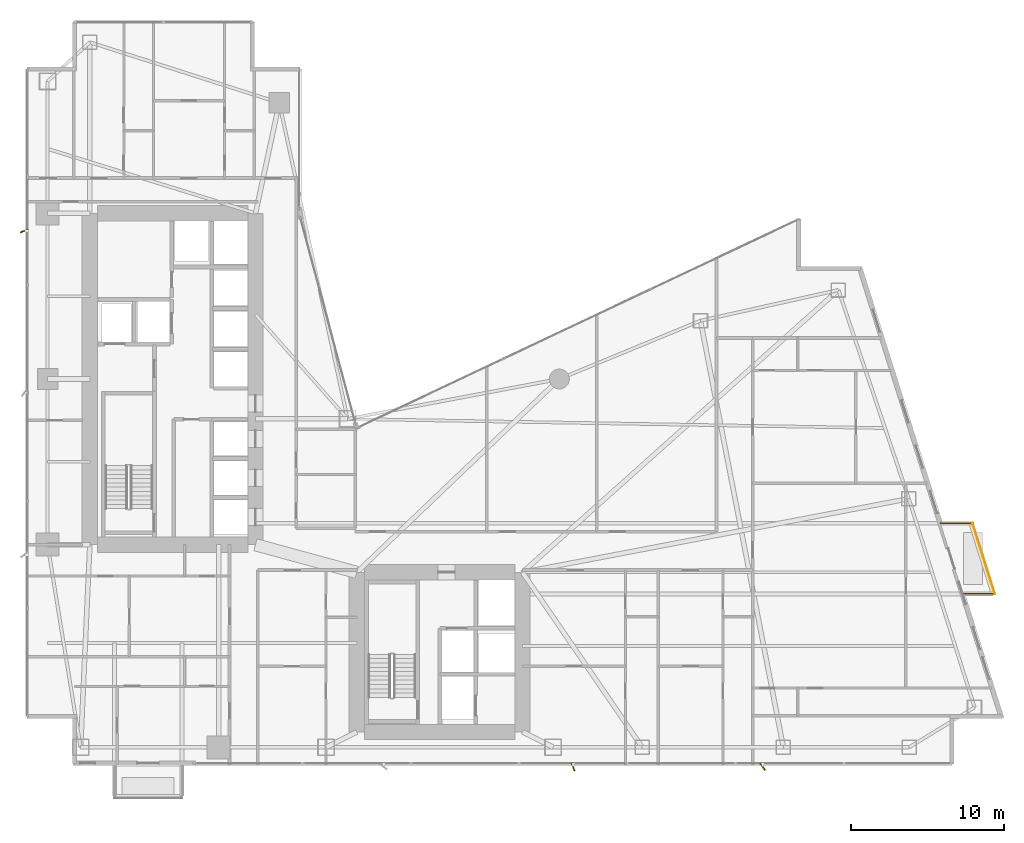
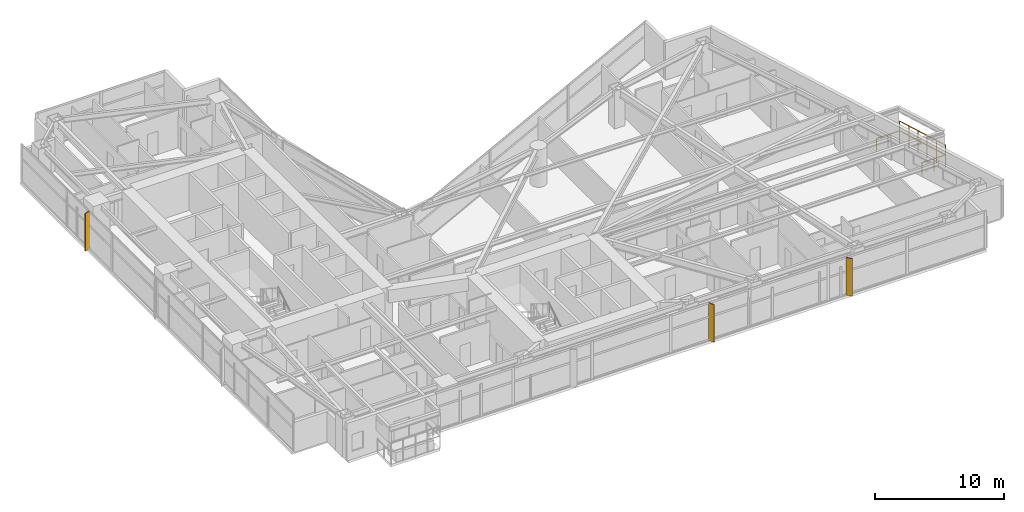
# One storey, part 29 of 29: 3 shading devices, 2 railings.
"""IFC4 building model written with IfcOpenShell, lengths in metres."""

from ifc_helpers import new_model, si_unit, direction, frame, origin, origin_2d, place, context, subcontext, project, spatial, rectangle, circle, extrude, material, type_object, element, save


model = new_model("IFC4")

# Units and contexts
model_context = context("Model", 3, precision=1e-05, world=origin(), true_north=direction((0.0, 1.0)))
body_context = subcontext(model_context, "Body", "Model", "MODEL_VIEW")
ifc_project = project(units=[si_unit("LENGTHUNIT", "METRE"), si_unit("AREAUNIT", "SQUARE_METRE"), si_unit("VOLUMEUNIT", "CUBIC_METRE"), si_unit("PLANEANGLEUNIT", "RADIAN"), si_unit("MASSUNIT", "GRAM", prefix="KILO")], contexts=[model_context])

# Site, building, storey
site_placement = place(None, origin())
site = spatial("IfcSite", under=ifc_project, at=site_placement, CompositionType="ELEMENT")
building_placement = place(site_placement, origin())
building = spatial("IfcBuilding", under=site, at=building_placement, Name="Calvorn Quay Hotel", CompositionType="ELEMENT")
storey_placement = place(building_placement, frame((0.0, 0.0, 34.60009765625)))
storey = spatial("IfcBuildingStorey", under=building, at=storey_placement, Name="L07", CompositionType="ELEMENT", Elevation=34.60009765625)

# Railings
ifc_material_1 = material(Name="Pale Anodised Aluminium and Laminated Glass", Category="aluminium")
railing_type = type_object("IfcRailingType", Name="RLG-BALUSTRADE-1200", PredefinedType="BALUSTRADE", material=ifc_material_1)
railing_1_placement = place(storey_placement, frame((61.089111328125, 13.60009765625, 0.0)))
element("IfcRailing", 1, at=railing_1_placement, inside=storey, type_object=railing_type, Name="Tree Balcony Perimeter Balustrade L07-BALC-E", PredefinedType="BALUSTRADE", context=body_context, shape_type="SweptSolid", body=[
    extrude(circle(Radius=0.02392578125, at=origin_2d()), frame((0.0, 0.0, 1.17578125), z_axis=(1.0, 0.0, 0.0), x_axis=(0.0, 1.0, 0.0)), (0.0, 0.0, 1.0), 2.099853515625),
    extrude(circle(Radius=0.02392578125, at=origin_2d()), frame((2.099853515625, 0.0, 1.17578125), z_axis=(-0.300450487966, 0.953797412599, 0.0), x_axis=(-0.953797412599, -0.300450487966, 0.0)), (0.0, 0.0, 1.0), 4.82275390625),
    extrude(circle(Radius=0.02392578125, at=origin_2d()), frame((0.65087890625, 4.599853515625, 1.17578125), z_axis=(-1.0, 0.0, 0.0), x_axis=(0.0, -1.0, 0.0)), (0.0, 0.0, 1.0), 2.10009765625),
    extrude(circle(Radius=0.02099609375, at=origin_2d()), origin(), (0.0, 0.0, 1.0), 1.15185546875),
    extrude(circle(Radius=0.02099609375, at=origin_2d()), frame((1.0498046875, 0.0, 0.0)), (0.0, 0.0, 1.0), 1.15185546875),
    extrude(circle(Radius=0.02099609375, at=origin_2d()), frame((2.099853515625, 0.0, 0.0)), (0.0, 0.0, 1.0), 1.15185546875),
    extrude(circle(Radius=0.02099609375, at=origin_2d()), frame((1.81005859375, 0.919921875, 0.0)), (0.0, 0.0, 1.0), 1.15185546875),
    extrude(circle(Radius=0.02099609375, at=origin_2d()), frame((1.520263671875, 1.83984375, 0.0)), (0.0, 0.0, 1.0), 1.15185546875),
    extrude(circle(Radius=0.02099609375, at=origin_2d()), frame((1.23046875, 2.760009765625, 0.0)), (0.0, 0.0, 1.0), 1.15185546875),
    extrude(circle(Radius=0.02099609375, at=origin_2d()), frame((0.940673828125, 3.679931640625, 0.0)), (0.0, 0.0, 1.0), 1.15185546875),
    extrude(circle(Radius=0.02099609375, at=origin_2d()), frame((0.65087890625, 4.599853515625, 0.0)), (0.0, 0.0, 1.0), 1.15185546875),
    extrude(circle(Radius=0.02099609375, at=origin_2d()), frame((-0.399169921875, 4.599853515625, 0.0)), (0.0, 0.0, 1.0), 1.15185546875),
    extrude(circle(Radius=0.02099609375, at=origin_2d()), frame((-1.44921875, 4.599853515625, 0.0)), (0.0, 0.0, 1.0), 1.15185546875),
])
railing_2_placement = place(storey_placement, frame((63.18896484375, 13.60009765625, 0.89990234375)))
element("IfcRailing", 2, at=railing_2_placement, inside=storey, type_object=railing_type, Name="Planter Kerb High Safety Screen L07-BALC-E", PredefinedType="BALUSTRADE", context=body_context, shape_type="SweptSolid", body=[
    extrude(circle(Radius=0.02392578125, at=origin_2d()), frame((0.0, 0.0, 1.19580078125), z_axis=(-0.300450487966, 0.953797412599, 0.0), x_axis=(-0.953797412599, -0.300450487966, 0.0)), (0.0, 0.0, 1.0), 4.82275390625),
    extrude(circle(Radius=0.02099609375, at=origin_2d()), origin(), (0.0, 0.0, 1.0), 1.171875),
    extrude(circle(Radius=0.02099609375, at=origin_2d()), frame((-0.289794921875, 0.919921875, 0.0)), (0.0, 0.0, 1.0), 1.171875),
    extrude(circle(Radius=0.02099609375, at=origin_2d()), frame((-0.57958984375, 1.83984375, 0.0)), (0.0, 0.0, 1.0), 1.171875),
    extrude(circle(Radius=0.02099609375, at=origin_2d()), frame((-0.869384765625, 2.760009765625, 0.0)), (0.0, 0.0, 1.0), 1.171875),
    extrude(circle(Radius=0.02099609375, at=origin_2d()), frame((-1.1591796875, 3.679931640625, 0.0)), (0.0, 0.0, 1.0), 1.171875),
    extrude(circle(Radius=0.02099609375, at=origin_2d()), frame((-1.448974609375, 4.599853515625, 0.0)), (0.0, 0.0, 1.0), 1.171875),
])

# Shading devices
ifc_material_2 = material(Name="Champagne Bronze Anodised Aluminium 6063-T6", Category="aluminium")
shading_device_type_1 = type_object("IfcShadingDeviceType", Name="SHD-FIN-A1", PredefinedType="USERDEFINED", material=ifc_material_2)
for number, where, z_axis, x_axis, name in (
    (3, (-0.080078125, 37.25, -0.000244140625), (0.0, 0.0, 1.0), (0.927183854567, 0.374606593416, 0.0), "Diagonal Sun-Shading Fin L07-W03"),
    (4, (35.699951171875, 2.320068359375, -0.000244140625), (0.0, 0.0, 1.0), (-0.374606593416, 0.927183854567, 0.0), "Diagonal Sun-Shading Fin L07-S02"),
):
    element("IfcShadingDevice", number, at=place(storey_placement, frame(where, z_axis=z_axis, x_axis=x_axis)), inside=storey, type_object=shading_device_type_1, Name=name, ObjectType="FIN", PredefinedType="USERDEFINED", context=body_context, shape_type="SweptSolid", body=[
        extrude(rectangle(XDim=0.550048828125, YDim=0.080078125, at=origin_2d()), origin(), (0.0, 0.0, 1.0), 3.56005859375),
    ])
ifc_material_3 = material(Name="Champagne Bronze Anodised Aluminium 6063-T6", Category="aluminium")
shading_device_type_2 = type_object("IfcShadingDeviceType", Name="SHD-FIN-A2", PredefinedType="USERDEFINED", material=ifc_material_3)
shading_device_placement = place(storey_placement, frame((48.050048828125, 2.320068359375, -0.000244140625), z_axis=(0.0, 0.0, 1.0), x_axis=(-0.615661475326, 0.788010753607, 0.0)))
element("IfcShadingDevice", 5, at=shading_device_placement, inside=storey, type_object=shading_device_type_2, Name="Diagonal Sun-Shading Fin L07-S03", ObjectType="FIN", PredefinedType="USERDEFINED", context=body_context, shape_type="SweptSolid", body=[
    extrude(rectangle(XDim=0.550048828125, YDim=0.080078125, at=origin_2d()), origin(), (0.0, 0.0, 1.0), 3.56005859375),
])

save(model, "model.ifc")
